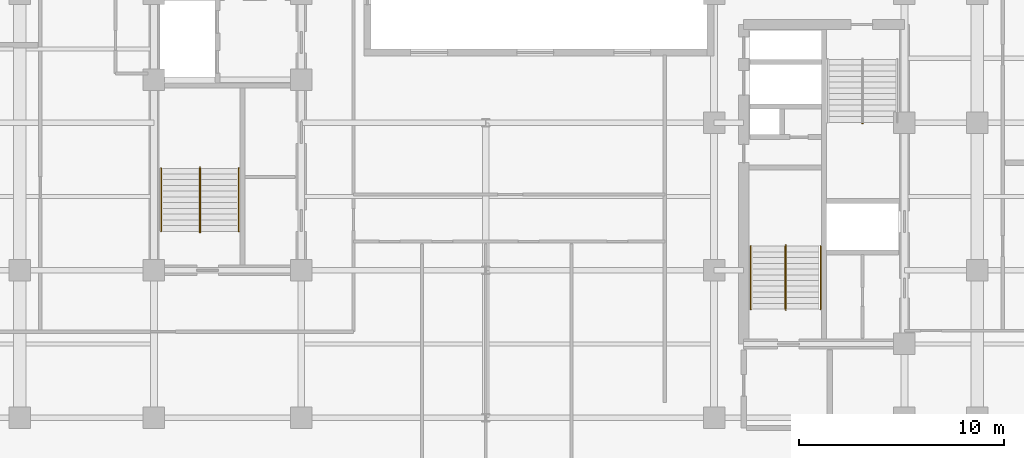
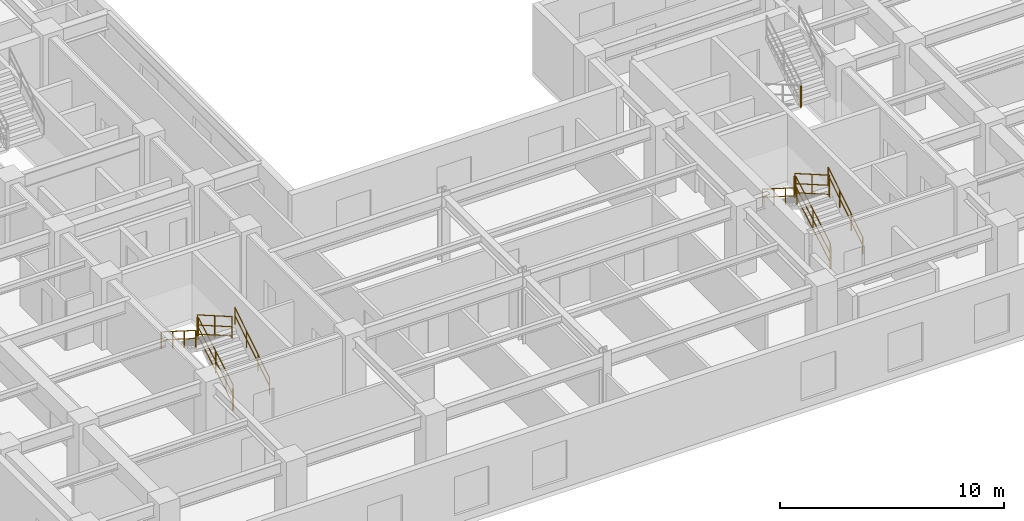
# One storey, part 7 of 9: 13 railings.
"""IFC4 building model written with IfcOpenShell, lengths in metres."""

import ifcopenshell
import ifcopenshell.guid

model = None  # the IFC model being written
_history = None  # IfcOwnerHistory: only IFC2X3 demands one
_inside = {}  # id of a spatial element -> (the spatial element, [elements in it])
_under = {}  # id of a project, library or spatial element -> (it, [spatial elements below it])
_declared = {}  # id of a project -> (the project, [libraries it declares])
_typed = {}  # id of a type object -> (the type object, [elements of that type])
_made_of = {}  # id of a material, layer set ... -> (it, [elements and type objects made of it])


def new_model(schema):
    """Start an empty IFC model of exactly this schema.

    Asked for "IFC4X3", IfcOpenShell would pick the latest addendum, in which some entities
    have other attributes; the version numbers below select the first issue.
    IFC2X3 requires an IfcOwnerHistory on every rooted entity: one is made here for all.
    """
    global model, _history
    if schema == "IFC4X3":
        model = ifcopenshell.file(schema_version=(4, 3, 0, 0))
    else:
        model = ifcopenshell.file(schema=schema)
    _inside.clear()
    _under.clear()
    _declared.clear()
    _typed.clear()
    _made_of.clear()
    _history = None
    if model.schema == "IFC2X3":
        org = make("IfcOrganization", Name="unknown")
        user = make(
            "IfcPersonAndOrganization",
            ThePerson=make("IfcPerson", FamilyName="unknown"),
            TheOrganization=org,
        )
        app = make(
            "IfcApplication",
            ApplicationDeveloper=org,
            Version="unknown",
            ApplicationFullName="unknown",
            ApplicationIdentifier="unknown",
        )
        _history = make(
            "IfcOwnerHistory",
            OwningUser=user,
            OwningApplication=app,
            ChangeAction="ADDED",
            CreationDate=0,
        )
    return model


def make(cls, **values):
    """One entity of the class cls with the attributes given. An attribute that is None is left unset."""
    return model.create_entity(
        cls, **{name: value for name, value in values.items() if value is not None}
    )


def entity(cls, *values):
    """Any entity or typed value of the class cls, its attributes in the order of the schema. None: left unset."""
    e = model.create_entity(cls)
    for i, value in enumerate(values):
        if value is not None:
            e[i] = value
    return e


def rooted(cls, **values):
    """An entity with a GlobalId (a new one), such as an element, a storey or a relation."""
    return make(cls, GlobalId=ifcopenshell.guid.new(), OwnerHistory=_history, **values)


def si_unit(unit_type, name, prefix=None):
    """IfcSIUnit, for example si_unit("LENGTHUNIT", "METRE", prefix="MILLI")."""
    return make("IfcSIUnit", UnitType=unit_type, Prefix=prefix, Name=name)


def converted_unit(unit_type, name, factor, base, dimensions=None, offset=None):
    """IfcConversionBasedUnit, such as the inch: factor (a typed value) times the base unit."""
    return make(
        "IfcConversionBasedUnit"
        if offset is None
        else "IfcConversionBasedUnitWithOffset",
        ConversionOffset=offset,
        Dimensions=None
        if dimensions is None
        else entity("IfcDimensionalExponents", *dimensions),
        UnitType=unit_type,
        Name=name,
        ConversionFactor=make(
            "IfcMeasureWithUnit", ValueComponent=factor, UnitComponent=base
        ),
    )


def assignment(units):
    """IfcUnitAssignment: the units of a project."""
    return None if units is None else make("IfcUnitAssignment", Units=units)


def point(xyz):
    """IfcCartesianPoint."""
    return None if xyz is None else make("IfcCartesianPoint", Coordinates=xyz)


def direction(xyz):
    """IfcDirection."""
    return None if xyz is None else make("IfcDirection", DirectionRatios=xyz)


def frame(location, z_axis=None, x_axis=None):
    """IfcAxis2Placement3D, a coordinate frame: its origin and axes. An axis left out is left unset."""
    return make(
        "IfcAxis2Placement3D",
        Location=point(location),
        Axis=direction(z_axis),
        RefDirection=direction(x_axis),
    )


def frame_2d(location, x_axis=None):
    """IfcAxis2Placement2D, a coordinate frame in the plane: its origin and x axis."""
    return make(
        "IfcAxis2Placement2D", Location=point(location), RefDirection=direction(x_axis)
    )


def origin_with_axes():
    """The frame at (0, 0, 0) with the z axis (0, 0, 1) and the x axis (1, 0, 0) written out."""
    return frame((0.0, 0.0, 0.0), z_axis=(0.0, 0.0, 1.0), x_axis=(1.0, 0.0, 0.0))


def origin_2d_with_axis():
    """The frame at (0, 0) in the plane with the x axis (1, 0) written out."""
    return frame_2d((0.0, 0.0), x_axis=(1.0, 0.0))


def place(relative_to, where):
    """IfcLocalPlacement: puts the frame where relative to a parent placement (None: the world)."""
    return make(
        "IfcLocalPlacement", PlacementRelTo=relative_to, RelativePlacement=where
    )


def context(
    kind, dimensions, precision=None, world=None, true_north=None, identifier=None
):
    """IfcGeometricRepresentationContext, for example the 3D "Model" context."""
    return make(
        "IfcGeometricRepresentationContext",
        ContextIdentifier=identifier,
        ContextType=kind,
        CoordinateSpaceDimension=dimensions,
        Precision=precision,
        WorldCoordinateSystem=world,
        TrueNorth=true_north,
    )


def subcontext(parent, identifier, kind, view, scale=None):
    """IfcGeometricRepresentationSubContext, for example "Body" below "Model"."""
    return make(
        "IfcGeometricRepresentationSubContext",
        ContextIdentifier=identifier,
        ContextType=kind,
        ParentContext=parent,
        TargetScale=scale,
        TargetView=view,
    )


def project(units=None, contexts=None):
    """IfcProject with its units and contexts."""
    return rooted(
        "IfcProject",
        Name="project",
        RepresentationContexts=contexts,
        UnitsInContext=assignment(units),
    )


def spatial(cls, under=None, at=None, **own):
    """A site, building, storey or space (cls), placed at a placement, below another one or the project."""
    s = rooted(cls, ObjectPlacement=at, **own)
    if under is not None:
        _under.setdefault(under.id(), (under, []))[1].append(s)
    return s


def profile(cls, at=None, kind="AREA", **sizes):
    """A parametric profile (cls). Its sizes go by their IFC names, for example OverallWidth=200.0."""
    return make(cls, ProfileType=kind, Position=at, **sizes)


def rectangle(**sizes):
    """IfcRectangleProfileDef."""
    return profile("IfcRectangleProfileDef", **sizes)


def circle(**sizes):
    """IfcCircleProfileDef."""
    return profile("IfcCircleProfileDef", **sizes)


def extrude(swept, where, along, depth):
    """IfcExtrudedAreaSolid: the profile swept, set in the frame where, extruded along a direction by depth."""
    return make(
        "IfcExtrudedAreaSolid",
        SweptArea=swept,
        Position=where,
        ExtrudedDirection=direction(along),
        Depth=depth,
    )


def shape(context_of_items, identifier, shape_type, items):
    """IfcShapeRepresentation: the items that make up one representation, for example the "Body"."""
    return make(
        "IfcShapeRepresentation",
        ContextOfItems=context_of_items,
        RepresentationIdentifier=identifier,
        RepresentationType=shape_type,
        Items=items,
    )


def material(Name=None, Category=None):
    """IfcMaterial."""
    return make("IfcMaterial", Name=Name, Category=Category)


def made_of(thing, what):
    """Note that an element or type object is made of a material, layer set ...; save() writes the relation."""
    if what is not None:
        _made_of.setdefault(what.id(), (what, []))[1].append(thing)
    return thing


def type_object(cls, material=None, **own):
    """A type object (cls), such as IfcWallType, which elements share."""
    return made_of(rooted(cls, **own), material)


def element(
    cls,
    number,
    at=None,
    inside=None,
    cuts=None,
    type_object=None,
    material=None,
    context=None,
    identifier="Body",
    shape_type=None,
    held_by="IfcProductDefinitionShape",
    body=None,
    shapes=None,
    **own,
):
    """One element of the class cls, such as IfcWall. Its Tag is "e" and its number.

    at: its placement. inside: the storey or other place that contains it. cuts: it is an
    opening in that element (IfcRelVoidsElement). A single representation is given by context,
    identifier, shape_type and body (its items); several are given by shapes. held_by: the class
    of the entity that holds the representations. save() writes the other relations.
    """
    e = rooted(cls, Tag="e%d" % number, ObjectPlacement=at, **own)
    if body is not None:
        shapes = [shape(context, identifier, shape_type, body)]
    if shapes is not None:
        e.Representation = make(held_by, Representations=shapes)
    if inside is not None:
        _inside.setdefault(inside.id(), (inside, []))[1].append(e)
    if cuts is not None:
        rooted(
            "IfcRelVoidsElement", RelatingBuildingElement=cuts, RelatedOpeningElement=e
        )
    if type_object is not None:
        _typed.setdefault(type_object.id(), (type_object, []))[1].append(e)
    return made_of(e, material)


def aggregate(whole, parts):
    """IfcRelAggregates: a whole, such as a stair, and the parts it consists of."""
    return rooted("IfcRelAggregates", RelatingObject=whole, RelatedObjects=parts)


def save(model, path):
    """Write the relations noted so far, then the file.

    IfcRelAggregates (storeys below a building ...), IfcRelContainedInSpatialStructure (elements
    in a storey), IfcRelDefinesByType, IfcRelAssociatesMaterial and IfcRelDeclares: one each for
    every whole, place, type object, material and project.
    """
    for whole, parts in _under.values():
        aggregate(whole, parts)
    for where, things in _inside.values():
        rooted(
            "IfcRelContainedInSpatialStructure",
            RelatedElements=things,
            RelatingStructure=where,
        )
    for kind, things in _typed.values():
        rooted("IfcRelDefinesByType", RelatedObjects=things, RelatingType=kind)
    for what, things in _made_of.values():
        rooted("IfcRelAssociatesMaterial", RelatedObjects=things, RelatingMaterial=what)
    for by, libraries in _declared.values():
        rooted("IfcRelDeclares", RelatingContext=by, RelatedDefinitions=libraries)
    model.write(path)


model = new_model("IFC4")

# Units and contexts
model_context = context("Model", 3, precision=1e-05, world=origin_with_axes(), true_north=direction((0.0, 1.0)))
body_context = subcontext(model_context, "Body", "Model", "MODEL_VIEW")
ifc_project = project(units=[si_unit("LENGTHUNIT", "METRE"), si_unit("AREAUNIT", "SQUARE_METRE"), si_unit("VOLUMEUNIT", "CUBIC_METRE"), converted_unit("PLANEANGLEUNIT", "DEGREE", entity("IfcPlaneAngleMeasure", 0.017453292519943295), si_unit("PLANEANGLEUNIT", "RADIAN"), dimensions=[0, 0, 0, 0, 0, 0, 0]), si_unit("MASSUNIT", "GRAM", prefix="KILO"), si_unit("THERMODYNAMICTEMPERATUREUNIT", "KELVIN")], contexts=[model_context])

# Site, building, storey
site_placement = place(None, origin_with_axes())
site = spatial("IfcSite", under=ifc_project, at=site_placement, CompositionType="ELEMENT")
building_placement = place(site_placement, origin_with_axes())
building = spatial("IfcBuilding", under=site, at=building_placement, Name="Varnlund Millrace Tower", CompositionType="ELEMENT")
storey_placement = place(building_placement, frame((0.0, 0.0, 140.7), z_axis=(0.0, 0.0, 1.0), x_axis=(1.0, 0.0, 0.0)))
storey = spatial("IfcBuildingStorey", under=building, at=storey_placement, Name="L34", CompositionType="ELEMENT", Elevation=140.7)

# Railings
ifc_material_1 = material(Name="Painted steel stair well balustrade guard", Category="steel")
railing_type_1 = type_object("IfcRailingType", Name="Type-StairGuard-1150", PredefinedType="GUARDRAIL", material=ifc_material_1)
railing_1_placement = place(storey_placement, frame((0.0, 0.0, -140.7), z_axis=(0.0, 0.0, 1.0), x_axis=(1.0, 0.0, 0.0)))
element("IfcRailing", 1, at=railing_1_placement, inside=storey, type_object=railing_type_1, Name="Type-StairGuard-1150", PredefinedType="GUARDRAIL", context=body_context, shape_type="SweptSolid", body=[
    extrude(circle(Radius=0.024, at=origin_2d_with_axis()), frame((13.675, 12.7, 142.027273), z_axis=(0.0, 0.866696, 0.498836), x_axis=(-1.0, 0.0, 0.0)), (0.0, 0.0, 1.0), 3.553725),
    extrude(circle(Radius=0.024, at=origin_2d_with_axis()), frame((13.675, 12.7, 140.977273), z_axis=(0.0, 0.866696, 0.498836), x_axis=(-1.0, 0.0, 0.0)), (0.0, 0.0, 1.0), 3.553725),
    extrude(circle(Radius=0.024, at=origin_2d_with_axis()), frame((13.675, 12.7, 141.475273), z_axis=(0.0, 0.866696, 0.498836), x_axis=(-1.0, 0.0, 0.0)), (0.0, 0.0, 1.0), 3.553725),
    extrude(rectangle(XDim=0.04, YDim=0.04, at=origin_2d_with_axis()), frame((13.675, 12.7, 140.837273), z_axis=(0.0, 0.0, 1.0), x_axis=(1.0, 0.0, 0.0)), (0.0, 0.0, 1.0), 1.19),
    extrude(rectangle(XDim=0.04, YDim=0.04, at=origin_2d_with_axis()), frame((13.675, 14.24, 141.723637), z_axis=(0.0, 0.0, 1.0), x_axis=(1.0, 0.0, 0.0)), (0.0, 0.0, 1.0), 1.19),
    extrude(rectangle(XDim=0.04, YDim=0.04, at=origin_2d_with_axis()), frame((13.675, 15.78, 142.61), z_axis=(0.0, 0.0, 1.0), x_axis=(1.0, 0.0, 0.0)), (0.0, 0.0, 1.0), 1.19),
])
railing_2_placement = place(storey_placement, frame((0.0, 0.0, -140.7), z_axis=(0.0, 0.0, 1.0), x_axis=(1.0, 0.0, 0.0)))
element("IfcRailing", 2, at=railing_2_placement, inside=storey, type_object=railing_type_1, Name="Type-StairGuard-1150", PredefinedType="GUARDRAIL", context=body_context, shape_type="SweptSolid", body=[
    extrude(circle(Radius=0.024, at=origin_2d_with_axis()), frame((13.625, 15.83, 143.8), z_axis=(1.0, 0.0, 0.0), x_axis=(0.0, 1.0, 0.0)), (0.0, 0.0, 1.0), 0.05),
    extrude(circle(Radius=0.024, at=origin_2d_with_axis()), frame((13.625, 15.83, 142.75), z_axis=(1.0, 0.0, 0.0), x_axis=(0.0, 1.0, 0.0)), (0.0, 0.0, 1.0), 0.05),
    extrude(circle(Radius=0.024, at=origin_2d_with_axis()), frame((13.625, 15.83, 143.248), z_axis=(1.0, 0.0, 0.0), x_axis=(0.0, 1.0, 0.0)), (0.0, 0.0, 1.0), 0.05),
    extrude(rectangle(XDim=0.04, YDim=0.04, at=origin_2d_with_axis()), frame((13.625, 15.83, 142.61), z_axis=(0.0, 0.0, 1.0), x_axis=(1.0, 0.0, 0.0)), (0.0, 0.0, 1.0), 1.19),
    extrude(rectangle(XDim=0.04, YDim=0.04, at=origin_2d_with_axis()), frame((13.675, 15.83, 142.61), z_axis=(0.0, 0.0, 1.0), x_axis=(1.0, 0.0, 0.0)), (0.0, 0.0, 1.0), 1.19),
])
railing_3_placement = place(storey_placement, frame((0.0, 0.0, -140.7), z_axis=(0.0, 0.0, 1.0), x_axis=(1.0, 0.0, 0.0)))
element("IfcRailing", 3, at=railing_3_placement, inside=storey, type_object=railing_type_1, Name="Type-StairGuard-1150", PredefinedType="GUARDRAIL", context=body_context, shape_type="SweptSolid", body=[
    extrude(circle(Radius=0.024, at=origin_2d_with_axis()), frame((13.625, 15.78, 143.977273), z_axis=(0.0, -0.866696, 0.498836), x_axis=(1.0, 0.0, 0.0)), (0.0, 0.0, 1.0), 3.553725),
    extrude(circle(Radius=0.024, at=origin_2d_with_axis()), frame((13.625, 15.78, 142.927273), z_axis=(0.0, -0.866696, 0.498836), x_axis=(1.0, 0.0, 0.0)), (0.0, 0.0, 1.0), 3.553725),
    extrude(circle(Radius=0.024, at=origin_2d_with_axis()), frame((13.625, 15.78, 143.425273), z_axis=(0.0, -0.866696, 0.498836), x_axis=(1.0, 0.0, 0.0)), (0.0, 0.0, 1.0), 3.553725),
    extrude(rectangle(XDim=0.04, YDim=0.04, at=origin_2d_with_axis()), frame((13.625, 15.78, 142.787273), z_axis=(0.0, 0.0, 1.0), x_axis=(1.0, 0.0, 0.0)), (0.0, 0.0, 1.0), 1.19),
    extrude(rectangle(XDim=0.04, YDim=0.04, at=origin_2d_with_axis()), frame((13.625, 14.24, 143.673637), z_axis=(0.0, 0.0, 1.0), x_axis=(1.0, 0.0, 0.0)), (0.0, 0.0, 1.0), 1.19),
    extrude(rectangle(XDim=0.04, YDim=0.04, at=origin_2d_with_axis()), frame((13.625, 12.7, 144.56), z_axis=(0.0, 0.0, 1.0), x_axis=(1.0, 0.0, 0.0)), (0.0, 0.0, 1.0), 1.19),
])
railing_4_placement = place(storey_placement, frame((0.0, 0.0, -140.7), z_axis=(0.0, 0.0, 1.0), x_axis=(1.0, 0.0, 0.0)))
element("IfcRailing", 4, at=railing_4_placement, inside=storey, type_object=railing_type_1, Name="Type-StairGuard-1150", PredefinedType="GUARDRAIL", context=body_context, shape_type="SweptSolid", body=[
    extrude(circle(Radius=0.024, at=origin_2d_with_axis()), frame((13.625, 12.65, 141.85), z_axis=(1.0, 0.0, 0.0), x_axis=(0.0, 1.0, 0.0)), (0.0, 0.0, 1.0), 0.05),
    extrude(circle(Radius=0.024, at=origin_2d_with_axis()), frame((13.625, 12.65, 140.8), z_axis=(1.0, 0.0, 0.0), x_axis=(0.0, 1.0, 0.0)), (0.0, 0.0, 1.0), 0.05),
    extrude(circle(Radius=0.024, at=origin_2d_with_axis()), frame((13.625, 12.65, 141.298), z_axis=(1.0, 0.0, 0.0), x_axis=(0.0, 1.0, 0.0)), (0.0, 0.0, 1.0), 0.05),
    extrude(rectangle(XDim=0.04, YDim=0.04, at=origin_2d_with_axis()), frame((13.625, 12.65, 140.66), z_axis=(0.0, 0.0, 1.0), x_axis=(1.0, 0.0, 0.0)), (0.0, 0.0, 1.0), 1.19),
    extrude(rectangle(XDim=0.04, YDim=0.04, at=origin_2d_with_axis()), frame((13.675, 12.65, 140.66), z_axis=(0.0, 0.0, 1.0), x_axis=(1.0, 0.0, 0.0)), (0.0, 0.0, 1.0), 1.19),
])
railing_5_placement = place(storey_placement, frame((0.0, 0.0, -140.7), z_axis=(0.0, 0.0, 1.0), x_axis=(1.0, 0.0, 0.0)))
element("IfcRailing", 5, at=railing_5_placement, inside=storey, type_object=railing_type_1, Name="Type-StairGuard-1150", PredefinedType="GUARDRAIL", context=body_context, shape_type="SweptSolid", body=[
    extrude(circle(Radius=0.024, at=origin_2d_with_axis()), frame((42.275, 8.9, 142.027273), z_axis=(0.0, 0.866696, 0.498836), x_axis=(-1.0, 0.0, 0.0)), (0.0, 0.0, 1.0), 3.553725),
    extrude(circle(Radius=0.024, at=origin_2d_with_axis()), frame((42.275, 8.9, 140.977273), z_axis=(0.0, 0.866696, 0.498836), x_axis=(-1.0, 0.0, 0.0)), (0.0, 0.0, 1.0), 3.553725),
    extrude(circle(Radius=0.024, at=origin_2d_with_axis()), frame((42.275, 8.9, 141.475273), z_axis=(0.0, 0.866696, 0.498836), x_axis=(-1.0, 0.0, 0.0)), (0.0, 0.0, 1.0), 3.553725),
    extrude(rectangle(XDim=0.04, YDim=0.04, at=origin_2d_with_axis()), frame((42.275, 8.9, 140.837273), z_axis=(0.0, 0.0, 1.0), x_axis=(1.0, 0.0, 0.0)), (0.0, 0.0, 1.0), 1.19),
    extrude(rectangle(XDim=0.04, YDim=0.04, at=origin_2d_with_axis()), frame((42.275, 10.44, 141.723637), z_axis=(0.0, 0.0, 1.0), x_axis=(1.0, 0.0, 0.0)), (0.0, 0.0, 1.0), 1.19),
    extrude(rectangle(XDim=0.04, YDim=0.04, at=origin_2d_with_axis()), frame((42.275, 11.98, 142.61), z_axis=(0.0, 0.0, 1.0), x_axis=(1.0, 0.0, 0.0)), (0.0, 0.0, 1.0), 1.19),
])
railing_6_placement = place(storey_placement, frame((0.0, 0.0, -140.7), z_axis=(0.0, 0.0, 1.0), x_axis=(1.0, 0.0, 0.0)))
element("IfcRailing", 6, at=railing_6_placement, inside=storey, type_object=railing_type_1, Name="Type-StairGuard-1150", PredefinedType="GUARDRAIL", context=body_context, shape_type="SweptSolid", body=[
    extrude(circle(Radius=0.024, at=origin_2d_with_axis()), frame((42.225, 12.03, 143.8), z_axis=(1.0, 0.0, 0.0), x_axis=(0.0, 1.0, 0.0)), (0.0, 0.0, 1.0), 0.05),
    extrude(circle(Radius=0.024, at=origin_2d_with_axis()), frame((42.225, 12.03, 142.75), z_axis=(1.0, 0.0, 0.0), x_axis=(0.0, 1.0, 0.0)), (0.0, 0.0, 1.0), 0.05),
    extrude(circle(Radius=0.024, at=origin_2d_with_axis()), frame((42.225, 12.03, 143.248), z_axis=(1.0, 0.0, 0.0), x_axis=(0.0, 1.0, 0.0)), (0.0, 0.0, 1.0), 0.05),
    extrude(rectangle(XDim=0.04, YDim=0.04, at=origin_2d_with_axis()), frame((42.225, 12.03, 142.61), z_axis=(0.0, 0.0, 1.0), x_axis=(1.0, 0.0, 0.0)), (0.0, 0.0, 1.0), 1.19),
    extrude(rectangle(XDim=0.04, YDim=0.04, at=origin_2d_with_axis()), frame((42.275, 12.03, 142.61), z_axis=(0.0, 0.0, 1.0), x_axis=(1.0, 0.0, 0.0)), (0.0, 0.0, 1.0), 1.19),
])
railing_7_placement = place(storey_placement, frame((0.0, 0.0, -140.7), z_axis=(0.0, 0.0, 1.0), x_axis=(1.0, 0.0, 0.0)))
element("IfcRailing", 7, at=railing_7_placement, inside=storey, type_object=railing_type_1, Name="Type-StairGuard-1150", PredefinedType="GUARDRAIL", context=body_context, shape_type="SweptSolid", body=[
    extrude(circle(Radius=0.024, at=origin_2d_with_axis()), frame((42.225, 11.98, 143.977273), z_axis=(0.0, -0.866696, 0.498836), x_axis=(1.0, 0.0, 0.0)), (0.0, 0.0, 1.0), 3.553725),
    extrude(circle(Radius=0.024, at=origin_2d_with_axis()), frame((42.225, 11.98, 142.927273), z_axis=(0.0, -0.866696, 0.498836), x_axis=(1.0, 0.0, 0.0)), (0.0, 0.0, 1.0), 3.553725),
    extrude(circle(Radius=0.024, at=origin_2d_with_axis()), frame((42.225, 11.98, 143.425273), z_axis=(0.0, -0.866696, 0.498836), x_axis=(1.0, 0.0, 0.0)), (0.0, 0.0, 1.0), 3.553725),
    extrude(rectangle(XDim=0.04, YDim=0.04, at=origin_2d_with_axis()), frame((42.225, 11.98, 142.787273), z_axis=(0.0, 0.0, 1.0), x_axis=(1.0, 0.0, 0.0)), (0.0, 0.0, 1.0), 1.19),
    extrude(rectangle(XDim=0.04, YDim=0.04, at=origin_2d_with_axis()), frame((42.225, 10.44, 143.673637), z_axis=(0.0, 0.0, 1.0), x_axis=(1.0, 0.0, 0.0)), (0.0, 0.0, 1.0), 1.19),
    extrude(rectangle(XDim=0.04, YDim=0.04, at=origin_2d_with_axis()), frame((42.225, 8.9, 144.56), z_axis=(0.0, 0.0, 1.0), x_axis=(1.0, 0.0, 0.0)), (0.0, 0.0, 1.0), 1.19),
])
railing_8_placement = place(storey_placement, frame((0.0, 0.0, -140.7), z_axis=(0.0, 0.0, 1.0), x_axis=(1.0, 0.0, 0.0)))
element("IfcRailing", 8, at=railing_8_placement, inside=storey, type_object=railing_type_1, Name="Type-StairGuard-1150", PredefinedType="GUARDRAIL", context=body_context, shape_type="SweptSolid", body=[
    extrude(circle(Radius=0.024, at=origin_2d_with_axis()), frame((42.225, 8.85, 141.85), z_axis=(1.0, 0.0, 0.0), x_axis=(0.0, 1.0, 0.0)), (0.0, 0.0, 1.0), 0.05),
    extrude(circle(Radius=0.024, at=origin_2d_with_axis()), frame((42.225, 8.85, 140.8), z_axis=(1.0, 0.0, 0.0), x_axis=(0.0, 1.0, 0.0)), (0.0, 0.0, 1.0), 0.05),
    extrude(circle(Radius=0.024, at=origin_2d_with_axis()), frame((42.225, 8.85, 141.298), z_axis=(1.0, 0.0, 0.0), x_axis=(0.0, 1.0, 0.0)), (0.0, 0.0, 1.0), 0.05),
    extrude(rectangle(XDim=0.04, YDim=0.04, at=origin_2d_with_axis()), frame((42.225, 8.85, 140.66), z_axis=(0.0, 0.0, 1.0), x_axis=(1.0, 0.0, 0.0)), (0.0, 0.0, 1.0), 1.19),
    extrude(rectangle(XDim=0.04, YDim=0.04, at=origin_2d_with_axis()), frame((42.275, 8.85, 140.66), z_axis=(0.0, 0.0, 1.0), x_axis=(1.0, 0.0, 0.0)), (0.0, 0.0, 1.0), 1.19),
])
railing_9_placement = place(storey_placement, frame((0.0, 0.0, -140.7), z_axis=(0.0, 0.0, 1.0), x_axis=(1.0, 0.0, 0.0)))
element("IfcRailing", 9, at=railing_9_placement, inside=storey, type_object=railing_type_1, Name="Type-StairGuard-1150", PredefinedType="GUARDRAIL", context=body_context, shape_type="SweptSolid", body=[
    extrude(circle(Radius=0.024, at=origin_2d_with_axis()), frame((46.025, 17.97, 143.8), z_axis=(-1.0, 0.0, 0.0), x_axis=(0.0, -1.0, 0.0)), (0.0, 0.0, 1.0), 0.05),
    extrude(circle(Radius=0.024, at=origin_2d_with_axis()), frame((46.025, 17.97, 142.75), z_axis=(-1.0, 0.0, 0.0), x_axis=(0.0, -1.0, 0.0)), (0.0, 0.0, 1.0), 0.05),
    extrude(circle(Radius=0.024, at=origin_2d_with_axis()), frame((46.025, 17.97, 143.248), z_axis=(-1.0, 0.0, 0.0), x_axis=(0.0, -1.0, 0.0)), (0.0, 0.0, 1.0), 0.05),
    extrude(rectangle(XDim=0.04, YDim=0.04, at=origin_2d_with_axis()), frame((46.025, 17.97, 142.61), z_axis=(0.0, 0.0, 1.0), x_axis=(1.0, 0.0, 0.0)), (0.0, 0.0, 1.0), 1.19),
    extrude(rectangle(XDim=0.04, YDim=0.04, at=origin_2d_with_axis()), frame((45.975, 17.97, 142.61), z_axis=(0.0, 0.0, 1.0), x_axis=(1.0, 0.0, 0.0)), (0.0, 0.0, 1.0), 1.19),
])
ifc_material_2 = material(Name="Brushed architectural bronze stair handrail", Category="aluminium")
railing_type_2 = type_object("IfcRailingType", Name="Type-StairHandrail-900", PredefinedType="HANDRAIL", material=ifc_material_2)
railing_10_placement = place(storey_placement, frame((0.0, 0.0, -140.7), z_axis=(0.0, 0.0, 1.0), x_axis=(1.0, 0.0, 0.0)))
element("IfcRailing", 10, at=railing_10_placement, inside=storey, type_object=railing_type_2, Name="Type-StairHandrail-900", PredefinedType="HANDRAIL", context=body_context, shape_type="SweptSolid", body=[
    extrude(circle(Radius=0.024, at=origin_2d_with_axis()), frame((15.55, 12.7, 141.756995), z_axis=(0.0, 0.844902, 0.534922), x_axis=(-1.0, 0.0, 0.0)), (0.0, 0.0, 1.0), 3.645394),
    extrude(circle(Radius=0.024, at=origin_2d_with_axis()), frame((15.55, 12.7, 141.317134), z_axis=(0.0, 0.844902, 0.534922), x_axis=(-1.0, 0.0, 0.0)), (0.0, 0.0, 1.0), 3.645394),
    extrude(rectangle(XDim=0.04, YDim=0.04, at=origin_2d_with_axis()), frame((15.55, 12.7, 140.837273), z_axis=(0.0, 0.0, 1.0), x_axis=(1.0, 0.0, 0.0)), (0.0, 0.0, 1.0), 0.919722),
    extrude(rectangle(XDim=0.04, YDim=0.04, at=origin_2d_with_axis()), frame((15.55, 13.726667, 141.487273), z_axis=(0.0, 0.0, 1.0), x_axis=(1.0, 0.0, 0.0)), (0.0, 0.0, 1.0), 0.919722),
    extrude(rectangle(XDim=0.04, YDim=0.04, at=origin_2d_with_axis()), frame((15.55, 14.753333, 142.137273), z_axis=(0.0, 0.0, 1.0), x_axis=(1.0, 0.0, 0.0)), (0.0, 0.0, 1.0), 0.919722),
    extrude(rectangle(XDim=0.04, YDim=0.04, at=origin_2d_with_axis()), frame((15.55, 15.78, 142.787273), z_axis=(0.0, 0.0, 1.0), x_axis=(1.0, 0.0, 0.0)), (0.0, 0.0, 1.0), 0.919722),
])
railing_11_placement = place(storey_placement, frame((0.0, 0.0, -140.7), z_axis=(0.0, 0.0, 1.0), x_axis=(1.0, 0.0, 0.0)))
element("IfcRailing", 11, at=railing_11_placement, inside=storey, type_object=railing_type_2, Name="Type-StairHandrail-900", PredefinedType="HANDRAIL", context=body_context, shape_type="SweptSolid", body=[
    extrude(circle(Radius=0.024, at=origin_2d_with_axis()), frame((11.75, 15.78, 143.706995), z_axis=(0.0, -0.844902, 0.534922), x_axis=(1.0, 0.0, 0.0)), (0.0, 0.0, 1.0), 3.645394),
    extrude(circle(Radius=0.024, at=origin_2d_with_axis()), frame((11.75, 15.78, 143.267134), z_axis=(0.0, -0.844902, 0.534922), x_axis=(1.0, 0.0, 0.0)), (0.0, 0.0, 1.0), 3.645394),
    extrude(rectangle(XDim=0.04, YDim=0.04, at=origin_2d_with_axis()), frame((11.75, 15.78, 142.787273), z_axis=(0.0, 0.0, 1.0), x_axis=(1.0, 0.0, 0.0)), (0.0, 0.0, 1.0), 0.919722),
    extrude(rectangle(XDim=0.04, YDim=0.04, at=origin_2d_with_axis()), frame((11.75, 14.753333, 143.437273), z_axis=(0.0, 0.0, 1.0), x_axis=(1.0, 0.0, 0.0)), (0.0, 0.0, 1.0), 0.919722),
    extrude(rectangle(XDim=0.04, YDim=0.04, at=origin_2d_with_axis()), frame((11.75, 13.726667, 144.087273), z_axis=(0.0, 0.0, 1.0), x_axis=(1.0, 0.0, 0.0)), (0.0, 0.0, 1.0), 0.919722),
    extrude(rectangle(XDim=0.04, YDim=0.04, at=origin_2d_with_axis()), frame((11.75, 12.7, 144.737273), z_axis=(0.0, 0.0, 1.0), x_axis=(1.0, 0.0, 0.0)), (0.0, 0.0, 1.0), 0.919722),
])
railing_12_placement = place(storey_placement, frame((0.0, 0.0, -140.7), z_axis=(0.0, 0.0, 1.0), x_axis=(1.0, 0.0, 0.0)))
element("IfcRailing", 12, at=railing_12_placement, inside=storey, type_object=railing_type_2, Name="Type-StairHandrail-900", PredefinedType="HANDRAIL", context=body_context, shape_type="SweptSolid", body=[
    extrude(circle(Radius=0.024, at=origin_2d_with_axis()), frame((43.95, 8.9, 141.756995), z_axis=(0.0, 0.844902, 0.534922), x_axis=(-1.0, 0.0, 0.0)), (0.0, 0.0, 1.0), 3.645394),
    extrude(circle(Radius=0.024, at=origin_2d_with_axis()), frame((43.95, 8.9, 141.317134), z_axis=(0.0, 0.844902, 0.534922), x_axis=(-1.0, 0.0, 0.0)), (0.0, 0.0, 1.0), 3.645394),
    extrude(rectangle(XDim=0.04, YDim=0.04, at=origin_2d_with_axis()), frame((43.95, 8.9, 140.837273), z_axis=(0.0, 0.0, 1.0), x_axis=(1.0, 0.0, 0.0)), (0.0, 0.0, 1.0), 0.919722),
    extrude(rectangle(XDim=0.04, YDim=0.04, at=origin_2d_with_axis()), frame((43.95, 9.926667, 141.487273), z_axis=(0.0, 0.0, 1.0), x_axis=(1.0, 0.0, 0.0)), (0.0, 0.0, 1.0), 0.919722),
    extrude(rectangle(XDim=0.04, YDim=0.04, at=origin_2d_with_axis()), frame((43.95, 10.953333, 142.137273), z_axis=(0.0, 0.0, 1.0), x_axis=(1.0, 0.0, 0.0)), (0.0, 0.0, 1.0), 0.919722),
    extrude(rectangle(XDim=0.04, YDim=0.04, at=origin_2d_with_axis()), frame((43.95, 11.98, 142.787273), z_axis=(0.0, 0.0, 1.0), x_axis=(1.0, 0.0, 0.0)), (0.0, 0.0, 1.0), 0.919722),
])
railing_13_placement = place(storey_placement, frame((0.0, 0.0, -140.7), z_axis=(0.0, 0.0, 1.0), x_axis=(1.0, 0.0, 0.0)))
element("IfcRailing", 13, at=railing_13_placement, inside=storey, type_object=railing_type_2, Name="Type-StairHandrail-900", PredefinedType="HANDRAIL", context=body_context, shape_type="SweptSolid", body=[
    extrude(circle(Radius=0.024, at=origin_2d_with_axis()), frame((40.55, 11.98, 143.706995), z_axis=(0.0, -0.844902, 0.534922), x_axis=(1.0, 0.0, 0.0)), (0.0, 0.0, 1.0), 3.645394),
    extrude(circle(Radius=0.024, at=origin_2d_with_axis()), frame((40.55, 11.98, 143.267134), z_axis=(0.0, -0.844902, 0.534922), x_axis=(1.0, 0.0, 0.0)), (0.0, 0.0, 1.0), 3.645394),
    extrude(rectangle(XDim=0.04, YDim=0.04, at=origin_2d_with_axis()), frame((40.55, 11.98, 142.787273), z_axis=(0.0, 0.0, 1.0), x_axis=(1.0, 0.0, 0.0)), (0.0, 0.0, 1.0), 0.919722),
    extrude(rectangle(XDim=0.04, YDim=0.04, at=origin_2d_with_axis()), frame((40.55, 10.953333, 143.437273), z_axis=(0.0, 0.0, 1.0), x_axis=(1.0, 0.0, 0.0)), (0.0, 0.0, 1.0), 0.919722),
    extrude(rectangle(XDim=0.04, YDim=0.04, at=origin_2d_with_axis()), frame((40.55, 9.926667, 144.087273), z_axis=(0.0, 0.0, 1.0), x_axis=(1.0, 0.0, 0.0)), (0.0, 0.0, 1.0), 0.919722),
    extrude(rectangle(XDim=0.04, YDim=0.04, at=origin_2d_with_axis()), frame((40.55, 8.9, 144.737273), z_axis=(0.0, 0.0, 1.0), x_axis=(1.0, 0.0, 0.0)), (0.0, 0.0, 1.0), 0.919722),
])

save(model, "model.ifc")
